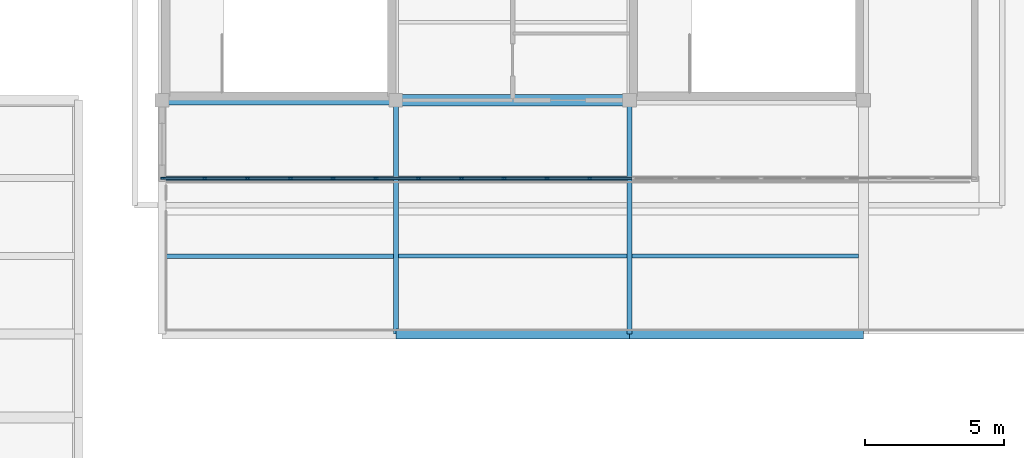
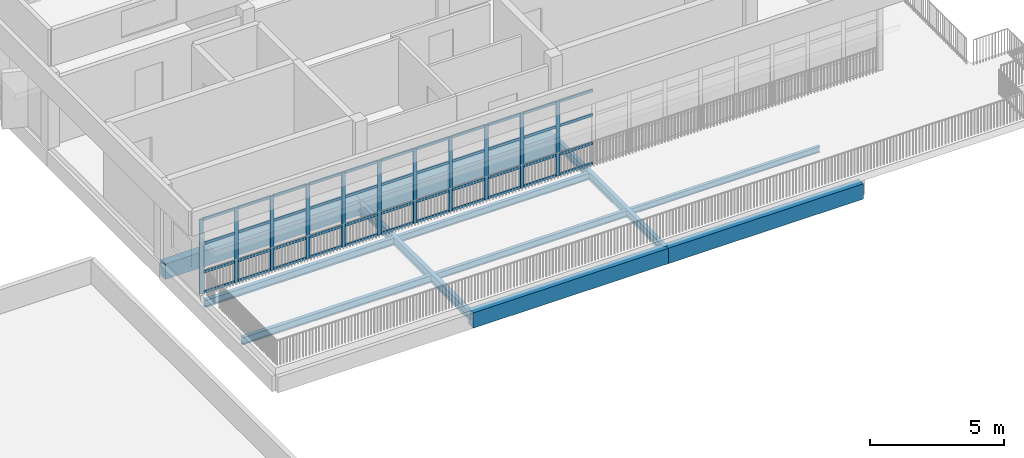
# One storey, part 2 of 14: 55 members, 11 beams, 1 element without a shape of its own.
"""IFC4 building model written with IfcOpenShell, lengths in metres."""

from ifc_helpers import new_model, si_unit, direction, frame, origin, origin_2d, place, context, subcontext, project, spatial, rectangle, i_section, extrude, material, material_profile, profile_set, type_object, element, aggregate, save


model = new_model("IFC4")

# Units and contexts
model_context = context("Model", 3, precision=1e-05, world=origin(), true_north=direction((0.0, 1.0)))
body_context = subcontext(model_context, "Body", "Model", "MODEL_VIEW")
ifc_project = project(units=[si_unit("LENGTHUNIT", "METRE"), si_unit("AREAUNIT", "SQUARE_METRE"), si_unit("VOLUMEUNIT", "CUBIC_METRE"), si_unit("PLANEANGLEUNIT", "RADIAN"), si_unit("MASSUNIT", "GRAM", prefix="KILO")], contexts=[model_context])

# Site, building, storey
site_placement = place(None, origin())
site = spatial("IfcSite", under=ifc_project, at=site_placement, CompositionType="ELEMENT")
building_placement = place(site_placement, origin())
building = spatial("IfcBuilding", under=site, at=building_placement, Name="Vanh Quang Courtyard School", CompositionType="ELEMENT")
storey_placement = place(building_placement, frame((0.0, 0.0, 22.199951171875)))
storey = spatial("IfcBuildingStorey", under=building, at=storey_placement, Name="L06", CompositionType="ELEMENT", Elevation=22.199951171875)

# Beams
ifc_material_1 = material(Name="Concrete C35/45", Category="concrete")
ifc_material_profile_1 = material_profile(ifc_material_1, rectangle(XDim=0.35009765625, YDim=0.699951171875, at=origin_2d()), Name="RC-BM 350x700")
ifc_profile_set_1 = profile_set([ifc_material_profile_1], Name="Concrete C35/45")
beam_type_1 = type_object("IfcBeamType", Name="BM-RC-350x700", PredefinedType="BEAM", material=ifc_profile_set_1)
beam_1_placement = place(storey_placement, frame((85.800048828125, 71.39990234375, -0.669921875), z_axis=(1.0, 0.0, 0.0), x_axis=(0.0, 1.0, 0.0)))
element("IfcBeam", 1, at=beam_1_placement, inside=storey, type_object=beam_type_1, Name="Beam B-04 (L06)", PredefinedType="BEAM", context=body_context, shape_type="SweptSolid", body=[
    extrude(rectangle(XDim=0.35009765625, YDim=0.699951171875, at=origin_2d()), origin(), (0.0, 0.0, 1.0), 8.39990234375),
])
for number, where, z_axis, x_axis, name in (
    (2, (94.199951171875, 71.39990234375, -0.669921875), (1.0, 0.0, 0.0), (0.0, 1.0, 0.0), "Beam B-04 (L06)"),
    (3, (77.39990234375, 79.800048828125, -0.599853515625), (1.0, 0.0, 0.0), (0.0, 1.0, 0.0), "Beam B-04 (L06)"),
):
    element("IfcBeam", number, at=place(storey_placement, frame(where, z_axis=z_axis, x_axis=x_axis)), inside=storey, type_object=beam_type_1, Name=name, PredefinedType="BEAM", context=body_context, shape_type="SweptSolid", body=[
        extrude(rectangle(XDim=0.35009765625, YDim=0.699951171875, at=origin_2d()), origin(), (0.0, 0.0, 1.0), 8.400146484375),
    ])
ifc_material_profile_2 = material_profile(ifc_material_1, rectangle(XDim=0.39990234375, YDim=0.800048828125, at=origin_2d()), Name="RC-BM 400x800")
ifc_profile_set_2 = profile_set([ifc_material_profile_2], Name="Concrete C35/45")
beam_type_2 = type_object("IfcBeamType", Name="BM-RC-400x800", PredefinedType="BEAM", material=ifc_profile_set_2)
beam_2_placement = place(storey_placement, frame((85.800048828125, 79.800048828125, -0.64990234375), z_axis=(1.0, 0.0, 0.0), x_axis=(0.0, 1.0, 0.0)))
element("IfcBeam", 4, at=beam_2_placement, inside=storey, type_object=beam_type_2, Name="Beam B-02 (L06)", PredefinedType="BEAM", context=body_context, shape_type="SweptSolid", body=[
    extrude(rectangle(XDim=0.39990234375, YDim=0.800048828125, at=origin_2d()), origin(), (0.0, 0.0, 1.0), 8.39990234375),
])
ifc_material_2 = material(Name="Structural steel EN 10025-2 S355J2", Category="steel")
ifc_material_profile_3 = material_profile(ifc_material_2, i_section(OverallWidth=0.169921875, OverallDepth=0.360107421875, WebThickness=0.008056640625, FlangeThickness=0.0126953125, FilletRadius=0.01806640625, at=origin_2d()), Name="IPE 360")
ifc_profile_set_3 = profile_set([ifc_material_profile_3], Name="Structural steel EN 10025-2 S355J2")
beam_type_3 = type_object("IfcBeamType", Name="BM-STL-IPE360", PredefinedType="BEAM", material=ifc_profile_set_3)
beam_3_placement = place(storey_placement, frame((94.199951171875, 71.39990234375, -0.5), z_axis=(0.0, 1.0, 0.0), x_axis=(-1.0, 0.0, 0.0)))
element("IfcBeam", 5, at=beam_3_placement, inside=storey, type_object=beam_type_3, Name="Beam SB-06 (L06)", PredefinedType="BEAM", context=body_context, shape_type="SweptSolid", body=[
    extrude(i_section(OverallWidth=0.169921875, OverallDepth=0.360107421875, WebThickness=0.008056640625, FlangeThickness=0.0126953125, FilletRadius=0.01806640625, at=origin_2d()), origin(), (0.0, 0.0, 1.0), 8.400146484375),
])
ifc_material_profile_4 = material_profile(ifc_material_2, i_section(OverallWidth=0.179931640625, OverallDepth=0.39990234375, WebThickness=0.008544921875, FlangeThickness=0.013427734375, FilletRadius=0.02099609375, at=origin_2d()), Name="IPE 400")
ifc_profile_set_4 = profile_set([ifc_material_profile_4], Name="Structural steel EN 10025-2 S355J2")
beam_type_4 = type_object("IfcBeamType", Name="BM-STL-IPE400", PredefinedType="BEAM", material=ifc_profile_set_4)
beam_4_placement = place(storey_placement, frame((85.800048828125, 71.39990234375, -0.52001953125), z_axis=(0.0, 1.0, 0.0), x_axis=(-1.0, 0.0, 0.0)))
element("IfcBeam", 6, at=beam_4_placement, inside=storey, type_object=beam_type_4, Name="Beam SB-05 (L06)", PredefinedType="BEAM", context=body_context, shape_type="SweptSolid", body=[
    extrude(i_section(OverallWidth=0.179931640625, OverallDepth=0.39990234375, WebThickness=0.008544921875, FlangeThickness=0.013427734375, FilletRadius=0.02099609375, at=origin_2d()), origin(), (0.0, 0.0, 1.0), 8.400146484375),
])

# Curtain wall, members
ifc_material_3 = material(Name="Thermally broken aluminium unitised curtain wall", Category="aluminium")
curtain_wall_type = type_object("IfcCurtainWallType", Name="CW-SYS-69", PredefinedType="NOTDEFINED", material=ifc_material_3)
curtain_wall_placement = place(storey_placement, origin())
curtain_wall = element("IfcCurtainWall", 7, at=curtain_wall_placement, inside=storey, type_object=curtain_wall_type, Name="Curtain Wall CW-69 (L06)", PredefinedType="NOTDEFINED")
ifc_material_4 = material(Name="Anodised aluminium 6063-T6", Category="aluminium")
ifc_material_profile_5 = material_profile(ifc_material_4, rectangle(XDim=0.06005859375, YDim=0.159912109375, at=origin_2d()), Name="ALU-MUL 60x160")
ifc_profile_set_5 = profile_set([ifc_material_profile_5], Name="Anodised aluminium 6063-T6")
member_type_1 = type_object("IfcMemberType", Name="CW-MUL-60x160", PredefinedType="MULLION", material=ifc_profile_set_5)
member_1_placement = place(storey_placement, frame((92.768310546875, 77.0, 0.0), z_axis=(0.0, 0.0, 1.0), x_axis=(0.0, -1.0, 0.0)))
member_1 = element("IfcMember", 8, at=member_1_placement, type_object=member_type_1, Name="CW-69 mullion 10", PredefinedType="MULLION", context=body_context, shape_type="SweptSolid", body=[
    extrude(rectangle(XDim=0.06005859375, YDim=0.159912109375, at=origin_2d()), origin(), (0.0, 0.0, 1.0), 3.380126953125),
])
member_2_placement = place(storey_placement, frame((91.231689453125, 77.0, 0.0), z_axis=(0.0, 0.0, 1.0), x_axis=(0.0, -1.0, 0.0)))
member_2 = element("IfcMember", 9, at=member_2_placement, type_object=member_type_1, Name="CW-69 mullion 11", PredefinedType="MULLION", context=body_context, shape_type="SweptSolid", body=[
    extrude(rectangle(XDim=0.06005859375, YDim=0.159912109375, at=origin_2d()), origin(), (0.0, 0.0, 1.0), 3.380126953125),
])
member_3_placement = place(storey_placement, frame((89.69482421875, 77.0, 0.0), z_axis=(0.0, 0.0, 1.0), x_axis=(0.0, -1.0, 0.0)))
member_3 = element("IfcMember", 10, at=member_3_placement, type_object=member_type_1, Name="CW-69 mullion 12", PredefinedType="MULLION", context=body_context, shape_type="SweptSolid", body=[
    extrude(rectangle(XDim=0.06005859375, YDim=0.159912109375, at=origin_2d()), origin(), (0.0, 0.0, 1.0), 3.380126953125),
])
member_4_placement = place(storey_placement, frame((88.157958984375, 77.0, 0.0), z_axis=(0.0, 0.0, 1.0), x_axis=(0.0, -1.0, 0.0)))
member_4 = element("IfcMember", 11, at=member_4_placement, type_object=member_type_1, Name="CW-69 mullion 13", PredefinedType="MULLION", context=body_context, shape_type="SweptSolid", body=[
    extrude(rectangle(XDim=0.06005859375, YDim=0.159912109375, at=origin_2d()), origin(), (0.0, 0.0, 1.0), 3.380126953125),
])
member_5_placement = place(storey_placement, frame((86.62109375, 77.0, 0.0), z_axis=(0.0, 0.0, 1.0), x_axis=(0.0, -1.0, 0.0)))
member_5 = element("IfcMember", 12, at=member_5_placement, type_object=member_type_1, Name="CW-69 mullion 14", PredefinedType="MULLION", context=body_context, shape_type="SweptSolid", body=[
    extrude(rectangle(XDim=0.06005859375, YDim=0.159912109375, at=origin_2d()), origin(), (0.0, 0.0, 1.0), 3.380126953125),
])
member_6_placement = place(storey_placement, frame((85.084228515625, 77.0, 0.0), z_axis=(0.0, 0.0, 1.0), x_axis=(0.0, -1.0, 0.0)))
member_6 = element("IfcMember", 13, at=member_6_placement, type_object=member_type_1, Name="CW-69 mullion 15", PredefinedType="MULLION", context=body_context, shape_type="SweptSolid", body=[
    extrude(rectangle(XDim=0.06005859375, YDim=0.159912109375, at=origin_2d()), origin(), (0.0, 0.0, 1.0), 3.380126953125),
])
member_7_placement = place(storey_placement, frame((83.54736328125, 77.0, 0.0), z_axis=(0.0, 0.0, 1.0), x_axis=(0.0, -1.0, 0.0)))
member_7 = element("IfcMember", 14, at=member_7_placement, type_object=member_type_1, Name="CW-69 mullion 16", PredefinedType="MULLION", context=body_context, shape_type="SweptSolid", body=[
    extrude(rectangle(XDim=0.06005859375, YDim=0.159912109375, at=origin_2d()), origin(), (0.0, 0.0, 1.0), 3.380126953125),
])
member_8_placement = place(storey_placement, frame((82.010498046875, 77.0, 0.0), z_axis=(0.0, 0.0, 1.0), x_axis=(0.0, -1.0, 0.0)))
member_8 = element("IfcMember", 15, at=member_8_placement, type_object=member_type_1, Name="CW-69 mullion 17", PredefinedType="MULLION", context=body_context, shape_type="SweptSolid", body=[
    extrude(rectangle(XDim=0.06005859375, YDim=0.159912109375, at=origin_2d()), origin(), (0.0, 0.0, 1.0), 3.380126953125),
])
member_9_placement = place(storey_placement, frame((80.4736328125, 77.0, 0.0), z_axis=(0.0, 0.0, 1.0), x_axis=(0.0, -1.0, 0.0)))
member_9 = element("IfcMember", 16, at=member_9_placement, type_object=member_type_1, Name="CW-69 mullion 18", PredefinedType="MULLION", context=body_context, shape_type="SweptSolid", body=[
    extrude(rectangle(XDim=0.06005859375, YDim=0.159912109375, at=origin_2d()), origin(), (0.0, 0.0, 1.0), 3.380126953125),
])
member_10_placement = place(storey_placement, frame((78.936767578125, 77.0, 0.0), z_axis=(0.0, 0.0, 1.0), x_axis=(0.0, -1.0, 0.0)))
member_10 = element("IfcMember", 17, at=member_10_placement, type_object=member_type_1, Name="CW-69 mullion 19", PredefinedType="MULLION", context=body_context, shape_type="SweptSolid", body=[
    extrude(rectangle(XDim=0.06005859375, YDim=0.159912109375, at=origin_2d()), origin(), (0.0, 0.0, 1.0), 3.380126953125),
])
member_11_placement = place(storey_placement, frame((77.429931640625, 77.0, 0.0), z_axis=(0.0, 0.0, 1.0), x_axis=(0.0, -1.0, 0.0)))
member_11 = element("IfcMember", 18, at=member_11_placement, type_object=member_type_1, Name="CW-69 mullion 20", PredefinedType="MULLION", context=body_context, shape_type="SweptSolid", body=[
    extrude(rectangle(XDim=0.06005859375, YDim=0.159912109375, at=origin_2d()), origin(), (0.0, 0.0, 1.0), 3.380126953125),
])
ifc_material_profile_6 = material_profile(ifc_material_4, rectangle(XDim=0.06005859375, YDim=0.1201171875, at=origin_2d()), Name="ALU-TRN 60x120")
ifc_profile_set_6 = profile_set([ifc_material_profile_6], Name="Anodised aluminium 6063-T6")
member_type_2 = type_object("IfcMemberType", Name="CW-TRN-60x120", PredefinedType="USERDEFINED", material=ifc_profile_set_6)
member_12_placement = place(storey_placement, frame((94.275146484375, 77.0, 0.030029296875), z_axis=(-1.0, 0.0, 0.0), x_axis=(0.0, -1.0, 0.0)))
member_12 = element("IfcMember", 19, at=member_12_placement, type_object=member_type_2, Name="CW-69 transom 9.1", ObjectType="TRANSOM", PredefinedType="USERDEFINED", context=body_context, shape_type="SweptSolid", body=[
    extrude(rectangle(XDim=0.06005859375, YDim=0.1201171875, at=origin_2d()), origin(), (0.0, 0.0, 1.0), 1.476806640625),
])
member_13_placement = place(storey_placement, frame((94.275146484375, 77.0, 0.949951171875), z_axis=(-1.0, 0.0, 0.0), x_axis=(0.0, -1.0, 0.0)))
member_13 = element("IfcMember", 20, at=member_13_placement, type_object=member_type_2, Name="CW-69 transom 9.2", ObjectType="TRANSOM", PredefinedType="USERDEFINED", context=body_context, shape_type="SweptSolid", body=[
    extrude(rectangle(XDim=0.06005859375, YDim=0.1201171875, at=origin_2d()), origin(), (0.0, 0.0, 1.0), 1.476806640625),
])
member_14_placement = place(storey_placement, frame((94.275146484375, 77.0, 2.25), z_axis=(-1.0, 0.0, 0.0), x_axis=(0.0, -1.0, 0.0)))
member_14 = element("IfcMember", 21, at=member_14_placement, type_object=member_type_2, Name="CW-69 transom 9.3", ObjectType="TRANSOM", PredefinedType="USERDEFINED", context=body_context, shape_type="SweptSolid", body=[
    extrude(rectangle(XDim=0.06005859375, YDim=0.1201171875, at=origin_2d()), origin(), (0.0, 0.0, 1.0), 1.476806640625),
])
member_15_placement = place(storey_placement, frame((94.275146484375, 77.0, 3.35009765625), z_axis=(-1.0, 0.0, 0.0), x_axis=(0.0, -1.0, 0.0)))
member_15 = element("IfcMember", 22, at=member_15_placement, type_object=member_type_2, Name="CW-69 transom 9.4", ObjectType="TRANSOM", PredefinedType="USERDEFINED", context=body_context, shape_type="SweptSolid", body=[
    extrude(rectangle(XDim=0.06005859375, YDim=0.1201171875, at=origin_2d()), origin(), (0.0, 0.0, 1.0), 1.476806640625),
])
member_16_placement = place(storey_placement, frame((92.738525390625, 77.0, 0.030029296875), z_axis=(-1.0, 0.0, 0.0), x_axis=(0.0, -1.0, 0.0)))
member_16 = element("IfcMember", 23, at=member_16_placement, type_object=member_type_2, Name="CW-69 transom 10.1", ObjectType="TRANSOM", PredefinedType="USERDEFINED", context=body_context, shape_type="SweptSolid", body=[
    extrude(rectangle(XDim=0.06005859375, YDim=0.1201171875, at=origin_2d()), origin(), (0.0, 0.0, 1.0), 1.47705078125),
])
member_17_placement = place(storey_placement, frame((92.738525390625, 77.0, 0.949951171875), z_axis=(-1.0, 0.0, 0.0), x_axis=(0.0, -1.0, 0.0)))
member_17 = element("IfcMember", 24, at=member_17_placement, type_object=member_type_2, Name="CW-69 transom 10.2", ObjectType="TRANSOM", PredefinedType="USERDEFINED", context=body_context, shape_type="SweptSolid", body=[
    extrude(rectangle(XDim=0.06005859375, YDim=0.1201171875, at=origin_2d()), origin(), (0.0, 0.0, 1.0), 1.47705078125),
])
member_18_placement = place(storey_placement, frame((92.738525390625, 77.0, 2.25), z_axis=(-1.0, 0.0, 0.0), x_axis=(0.0, -1.0, 0.0)))
member_18 = element("IfcMember", 25, at=member_18_placement, type_object=member_type_2, Name="CW-69 transom 10.3", ObjectType="TRANSOM", PredefinedType="USERDEFINED", context=body_context, shape_type="SweptSolid", body=[
    extrude(rectangle(XDim=0.06005859375, YDim=0.1201171875, at=origin_2d()), origin(), (0.0, 0.0, 1.0), 1.47705078125),
])
member_19_placement = place(storey_placement, frame((92.738525390625, 77.0, 3.35009765625), z_axis=(-1.0, 0.0, 0.0), x_axis=(0.0, -1.0, 0.0)))
member_19 = element("IfcMember", 26, at=member_19_placement, type_object=member_type_2, Name="CW-69 transom 10.4", ObjectType="TRANSOM", PredefinedType="USERDEFINED", context=body_context, shape_type="SweptSolid", body=[
    extrude(rectangle(XDim=0.06005859375, YDim=0.1201171875, at=origin_2d()), origin(), (0.0, 0.0, 1.0), 1.47705078125),
])
member_20_placement = place(storey_placement, frame((91.20166015625, 77.0, 0.030029296875), z_axis=(-1.0, 0.0, 0.0), x_axis=(0.0, -1.0, 0.0)))
member_20 = element("IfcMember", 27, at=member_20_placement, type_object=member_type_2, Name="CW-69 transom 11.1", ObjectType="TRANSOM", PredefinedType="USERDEFINED", context=body_context, shape_type="SweptSolid", body=[
    extrude(rectangle(XDim=0.06005859375, YDim=0.1201171875, at=origin_2d()), origin(), (0.0, 0.0, 1.0), 1.476806640625),
])
member_21_placement = place(storey_placement, frame((91.20166015625, 77.0, 0.949951171875), z_axis=(-1.0, 0.0, 0.0), x_axis=(0.0, -1.0, 0.0)))
member_21 = element("IfcMember", 28, at=member_21_placement, type_object=member_type_2, Name="CW-69 transom 11.2", ObjectType="TRANSOM", PredefinedType="USERDEFINED", context=body_context, shape_type="SweptSolid", body=[
    extrude(rectangle(XDim=0.06005859375, YDim=0.1201171875, at=origin_2d()), origin(), (0.0, 0.0, 1.0), 1.476806640625),
])
member_22_placement = place(storey_placement, frame((91.20166015625, 77.0, 2.25), z_axis=(-1.0, 0.0, 0.0), x_axis=(0.0, -1.0, 0.0)))
member_22 = element("IfcMember", 29, at=member_22_placement, type_object=member_type_2, Name="CW-69 transom 11.3", ObjectType="TRANSOM", PredefinedType="USERDEFINED", context=body_context, shape_type="SweptSolid", body=[
    extrude(rectangle(XDim=0.06005859375, YDim=0.1201171875, at=origin_2d()), origin(), (0.0, 0.0, 1.0), 1.476806640625),
])
member_23_placement = place(storey_placement, frame((91.20166015625, 77.0, 3.35009765625), z_axis=(-1.0, 0.0, 0.0), x_axis=(0.0, -1.0, 0.0)))
member_23 = element("IfcMember", 30, at=member_23_placement, type_object=member_type_2, Name="CW-69 transom 11.4", ObjectType="TRANSOM", PredefinedType="USERDEFINED", context=body_context, shape_type="SweptSolid", body=[
    extrude(rectangle(XDim=0.06005859375, YDim=0.1201171875, at=origin_2d()), origin(), (0.0, 0.0, 1.0), 1.476806640625),
])
member_24_placement = place(storey_placement, frame((89.664794921875, 77.0, 0.030029296875), z_axis=(-1.0, 0.0, 0.0), x_axis=(0.0, -1.0, 0.0)))
member_24 = element("IfcMember", 31, at=member_24_placement, type_object=member_type_2, Name="CW-69 transom 12.1", ObjectType="TRANSOM", PredefinedType="USERDEFINED", context=body_context, shape_type="SweptSolid", body=[
    extrude(rectangle(XDim=0.06005859375, YDim=0.1201171875, at=origin_2d()), origin(), (0.0, 0.0, 1.0), 1.476806640625),
])
member_25_placement = place(storey_placement, frame((89.664794921875, 77.0, 0.949951171875), z_axis=(-1.0, 0.0, 0.0), x_axis=(0.0, -1.0, 0.0)))
member_25 = element("IfcMember", 32, at=member_25_placement, type_object=member_type_2, Name="CW-69 transom 12.2", ObjectType="TRANSOM", PredefinedType="USERDEFINED", context=body_context, shape_type="SweptSolid", body=[
    extrude(rectangle(XDim=0.06005859375, YDim=0.1201171875, at=origin_2d()), origin(), (0.0, 0.0, 1.0), 1.476806640625),
])
member_26_placement = place(storey_placement, frame((89.664794921875, 77.0, 2.25), z_axis=(-1.0, 0.0, 0.0), x_axis=(0.0, -1.0, 0.0)))
member_26 = element("IfcMember", 33, at=member_26_placement, type_object=member_type_2, Name="CW-69 transom 12.3", ObjectType="TRANSOM", PredefinedType="USERDEFINED", context=body_context, shape_type="SweptSolid", body=[
    extrude(rectangle(XDim=0.06005859375, YDim=0.1201171875, at=origin_2d()), origin(), (0.0, 0.0, 1.0), 1.476806640625),
])
member_27_placement = place(storey_placement, frame((89.664794921875, 77.0, 3.35009765625), z_axis=(-1.0, 0.0, 0.0), x_axis=(0.0, -1.0, 0.0)))
member_27 = element("IfcMember", 34, at=member_27_placement, type_object=member_type_2, Name="CW-69 transom 12.4", ObjectType="TRANSOM", PredefinedType="USERDEFINED", context=body_context, shape_type="SweptSolid", body=[
    extrude(rectangle(XDim=0.06005859375, YDim=0.1201171875, at=origin_2d()), origin(), (0.0, 0.0, 1.0), 1.476806640625),
])
member_28_placement = place(storey_placement, frame((88.1279296875, 77.0, 0.030029296875), z_axis=(-1.0, 0.0, 0.0), x_axis=(0.0, -1.0, 0.0)))
member_28 = element("IfcMember", 35, at=member_28_placement, type_object=member_type_2, Name="CW-69 transom 13.1", ObjectType="TRANSOM", PredefinedType="USERDEFINED", context=body_context, shape_type="SweptSolid", body=[
    extrude(rectangle(XDim=0.06005859375, YDim=0.1201171875, at=origin_2d()), origin(), (0.0, 0.0, 1.0), 1.476806640625),
])
member_29_placement = place(storey_placement, frame((88.1279296875, 77.0, 0.949951171875), z_axis=(-1.0, 0.0, 0.0), x_axis=(0.0, -1.0, 0.0)))
member_29 = element("IfcMember", 36, at=member_29_placement, type_object=member_type_2, Name="CW-69 transom 13.2", ObjectType="TRANSOM", PredefinedType="USERDEFINED", context=body_context, shape_type="SweptSolid", body=[
    extrude(rectangle(XDim=0.06005859375, YDim=0.1201171875, at=origin_2d()), origin(), (0.0, 0.0, 1.0), 1.476806640625),
])
member_30_placement = place(storey_placement, frame((88.1279296875, 77.0, 2.25), z_axis=(-1.0, 0.0, 0.0), x_axis=(0.0, -1.0, 0.0)))
member_30 = element("IfcMember", 37, at=member_30_placement, type_object=member_type_2, Name="CW-69 transom 13.3", ObjectType="TRANSOM", PredefinedType="USERDEFINED", context=body_context, shape_type="SweptSolid", body=[
    extrude(rectangle(XDim=0.06005859375, YDim=0.1201171875, at=origin_2d()), origin(), (0.0, 0.0, 1.0), 1.476806640625),
])
member_31_placement = place(storey_placement, frame((88.1279296875, 77.0, 3.35009765625), z_axis=(-1.0, 0.0, 0.0), x_axis=(0.0, -1.0, 0.0)))
member_31 = element("IfcMember", 38, at=member_31_placement, type_object=member_type_2, Name="CW-69 transom 13.4", ObjectType="TRANSOM", PredefinedType="USERDEFINED", context=body_context, shape_type="SweptSolid", body=[
    extrude(rectangle(XDim=0.06005859375, YDim=0.1201171875, at=origin_2d()), origin(), (0.0, 0.0, 1.0), 1.476806640625),
])
member_32_placement = place(storey_placement, frame((86.591064453125, 77.0, 0.030029296875), z_axis=(-1.0, 0.0, 0.0), x_axis=(0.0, -1.0, 0.0)))
member_32 = element("IfcMember", 39, at=member_32_placement, type_object=member_type_2, Name="CW-69 transom 14.1", ObjectType="TRANSOM", PredefinedType="USERDEFINED", context=body_context, shape_type="SweptSolid", body=[
    extrude(rectangle(XDim=0.06005859375, YDim=0.1201171875, at=origin_2d()), origin(), (0.0, 0.0, 1.0), 1.476806640625),
])
member_33_placement = place(storey_placement, frame((86.591064453125, 77.0, 0.949951171875), z_axis=(-1.0, 0.0, 0.0), x_axis=(0.0, -1.0, 0.0)))
member_33 = element("IfcMember", 40, at=member_33_placement, type_object=member_type_2, Name="CW-69 transom 14.2", ObjectType="TRANSOM", PredefinedType="USERDEFINED", context=body_context, shape_type="SweptSolid", body=[
    extrude(rectangle(XDim=0.06005859375, YDim=0.1201171875, at=origin_2d()), origin(), (0.0, 0.0, 1.0), 1.476806640625),
])
member_34_placement = place(storey_placement, frame((86.591064453125, 77.0, 2.25), z_axis=(-1.0, 0.0, 0.0), x_axis=(0.0, -1.0, 0.0)))
member_34 = element("IfcMember", 41, at=member_34_placement, type_object=member_type_2, Name="CW-69 transom 14.3", ObjectType="TRANSOM", PredefinedType="USERDEFINED", context=body_context, shape_type="SweptSolid", body=[
    extrude(rectangle(XDim=0.06005859375, YDim=0.1201171875, at=origin_2d()), origin(), (0.0, 0.0, 1.0), 1.476806640625),
])
member_35_placement = place(storey_placement, frame((86.591064453125, 77.0, 3.35009765625), z_axis=(-1.0, 0.0, 0.0), x_axis=(0.0, -1.0, 0.0)))
member_35 = element("IfcMember", 42, at=member_35_placement, type_object=member_type_2, Name="CW-69 transom 14.4", ObjectType="TRANSOM", PredefinedType="USERDEFINED", context=body_context, shape_type="SweptSolid", body=[
    extrude(rectangle(XDim=0.06005859375, YDim=0.1201171875, at=origin_2d()), origin(), (0.0, 0.0, 1.0), 1.476806640625),
])
member_36_placement = place(storey_placement, frame((85.05419921875, 77.0, 0.030029296875), z_axis=(-1.0, 0.0, 0.0), x_axis=(0.0, -1.0, 0.0)))
member_36 = element("IfcMember", 43, at=member_36_placement, type_object=member_type_2, Name="CW-69 transom 15.1", ObjectType="TRANSOM", PredefinedType="USERDEFINED", context=body_context, shape_type="SweptSolid", body=[
    extrude(rectangle(XDim=0.06005859375, YDim=0.1201171875, at=origin_2d()), origin(), (0.0, 0.0, 1.0), 1.476806640625),
])
member_37_placement = place(storey_placement, frame((85.05419921875, 77.0, 0.949951171875), z_axis=(-1.0, 0.0, 0.0), x_axis=(0.0, -1.0, 0.0)))
member_37 = element("IfcMember", 44, at=member_37_placement, type_object=member_type_2, Name="CW-69 transom 15.2", ObjectType="TRANSOM", PredefinedType="USERDEFINED", context=body_context, shape_type="SweptSolid", body=[
    extrude(rectangle(XDim=0.06005859375, YDim=0.1201171875, at=origin_2d()), origin(), (0.0, 0.0, 1.0), 1.476806640625),
])
member_38_placement = place(storey_placement, frame((85.05419921875, 77.0, 2.25), z_axis=(-1.0, 0.0, 0.0), x_axis=(0.0, -1.0, 0.0)))
member_38 = element("IfcMember", 45, at=member_38_placement, type_object=member_type_2, Name="CW-69 transom 15.3", ObjectType="TRANSOM", PredefinedType="USERDEFINED", context=body_context, shape_type="SweptSolid", body=[
    extrude(rectangle(XDim=0.06005859375, YDim=0.1201171875, at=origin_2d()), origin(), (0.0, 0.0, 1.0), 1.476806640625),
])
member_39_placement = place(storey_placement, frame((85.05419921875, 77.0, 3.35009765625), z_axis=(-1.0, 0.0, 0.0), x_axis=(0.0, -1.0, 0.0)))
member_39 = element("IfcMember", 46, at=member_39_placement, type_object=member_type_2, Name="CW-69 transom 15.4", ObjectType="TRANSOM", PredefinedType="USERDEFINED", context=body_context, shape_type="SweptSolid", body=[
    extrude(rectangle(XDim=0.06005859375, YDim=0.1201171875, at=origin_2d()), origin(), (0.0, 0.0, 1.0), 1.476806640625),
])
member_40_placement = place(storey_placement, frame((83.517333984375, 77.0, 0.030029296875), z_axis=(-1.0, 0.0, 0.0), x_axis=(0.0, -1.0, 0.0)))
member_40 = element("IfcMember", 47, at=member_40_placement, type_object=member_type_2, Name="CW-69 transom 16.1", ObjectType="TRANSOM", PredefinedType="USERDEFINED", context=body_context, shape_type="SweptSolid", body=[
    extrude(rectangle(XDim=0.06005859375, YDim=0.1201171875, at=origin_2d()), origin(), (0.0, 0.0, 1.0), 1.476806640625),
])
member_41_placement = place(storey_placement, frame((83.517333984375, 77.0, 0.949951171875), z_axis=(-1.0, 0.0, 0.0), x_axis=(0.0, -1.0, 0.0)))
member_41 = element("IfcMember", 48, at=member_41_placement, type_object=member_type_2, Name="CW-69 transom 16.2", ObjectType="TRANSOM", PredefinedType="USERDEFINED", context=body_context, shape_type="SweptSolid", body=[
    extrude(rectangle(XDim=0.06005859375, YDim=0.1201171875, at=origin_2d()), origin(), (0.0, 0.0, 1.0), 1.476806640625),
])
member_42_placement = place(storey_placement, frame((83.517333984375, 77.0, 2.25), z_axis=(-1.0, 0.0, 0.0), x_axis=(0.0, -1.0, 0.0)))
member_42 = element("IfcMember", 49, at=member_42_placement, type_object=member_type_2, Name="CW-69 transom 16.3", ObjectType="TRANSOM", PredefinedType="USERDEFINED", context=body_context, shape_type="SweptSolid", body=[
    extrude(rectangle(XDim=0.06005859375, YDim=0.1201171875, at=origin_2d()), origin(), (0.0, 0.0, 1.0), 1.476806640625),
])
member_43_placement = place(storey_placement, frame((83.517333984375, 77.0, 3.35009765625), z_axis=(-1.0, 0.0, 0.0), x_axis=(0.0, -1.0, 0.0)))
member_43 = element("IfcMember", 50, at=member_43_placement, type_object=member_type_2, Name="CW-69 transom 16.4", ObjectType="TRANSOM", PredefinedType="USERDEFINED", context=body_context, shape_type="SweptSolid", body=[
    extrude(rectangle(XDim=0.06005859375, YDim=0.1201171875, at=origin_2d()), origin(), (0.0, 0.0, 1.0), 1.476806640625),
])
member_44_placement = place(storey_placement, frame((81.98046875, 77.0, 0.030029296875), z_axis=(-1.0, 0.0, 0.0), x_axis=(0.0, -1.0, 0.0)))
member_44 = element("IfcMember", 51, at=member_44_placement, type_object=member_type_2, Name="CW-69 transom 17.1", ObjectType="TRANSOM", PredefinedType="USERDEFINED", context=body_context, shape_type="SweptSolid", body=[
    extrude(rectangle(XDim=0.06005859375, YDim=0.1201171875, at=origin_2d()), origin(), (0.0, 0.0, 1.0), 1.476806640625),
])
member_45_placement = place(storey_placement, frame((81.98046875, 77.0, 0.949951171875), z_axis=(-1.0, 0.0, 0.0), x_axis=(0.0, -1.0, 0.0)))
member_45 = element("IfcMember", 52, at=member_45_placement, type_object=member_type_2, Name="CW-69 transom 17.2", ObjectType="TRANSOM", PredefinedType="USERDEFINED", context=body_context, shape_type="SweptSolid", body=[
    extrude(rectangle(XDim=0.06005859375, YDim=0.1201171875, at=origin_2d()), origin(), (0.0, 0.0, 1.0), 1.476806640625),
])
member_46_placement = place(storey_placement, frame((81.98046875, 77.0, 2.25), z_axis=(-1.0, 0.0, 0.0), x_axis=(0.0, -1.0, 0.0)))
member_46 = element("IfcMember", 53, at=member_46_placement, type_object=member_type_2, Name="CW-69 transom 17.3", ObjectType="TRANSOM", PredefinedType="USERDEFINED", context=body_context, shape_type="SweptSolid", body=[
    extrude(rectangle(XDim=0.06005859375, YDim=0.1201171875, at=origin_2d()), origin(), (0.0, 0.0, 1.0), 1.476806640625),
])
member_47_placement = place(storey_placement, frame((81.98046875, 77.0, 3.35009765625), z_axis=(-1.0, 0.0, 0.0), x_axis=(0.0, -1.0, 0.0)))
member_47 = element("IfcMember", 54, at=member_47_placement, type_object=member_type_2, Name="CW-69 transom 17.4", ObjectType="TRANSOM", PredefinedType="USERDEFINED", context=body_context, shape_type="SweptSolid", body=[
    extrude(rectangle(XDim=0.06005859375, YDim=0.1201171875, at=origin_2d()), origin(), (0.0, 0.0, 1.0), 1.476806640625),
])
member_48_placement = place(storey_placement, frame((80.443603515625, 77.0, 0.030029296875), z_axis=(-1.0, 0.0, 0.0), x_axis=(0.0, -1.0, 0.0)))
member_48 = element("IfcMember", 55, at=member_48_placement, type_object=member_type_2, Name="CW-69 transom 18.1", ObjectType="TRANSOM", PredefinedType="USERDEFINED", context=body_context, shape_type="SweptSolid", body=[
    extrude(rectangle(XDim=0.06005859375, YDim=0.1201171875, at=origin_2d()), origin(), (0.0, 0.0, 1.0), 1.476806640625),
])
member_49_placement = place(storey_placement, frame((80.443603515625, 77.0, 0.949951171875), z_axis=(-1.0, 0.0, 0.0), x_axis=(0.0, -1.0, 0.0)))
member_49 = element("IfcMember", 56, at=member_49_placement, type_object=member_type_2, Name="CW-69 transom 18.2", ObjectType="TRANSOM", PredefinedType="USERDEFINED", context=body_context, shape_type="SweptSolid", body=[
    extrude(rectangle(XDim=0.06005859375, YDim=0.1201171875, at=origin_2d()), origin(), (0.0, 0.0, 1.0), 1.476806640625),
])
member_50_placement = place(storey_placement, frame((80.443603515625, 77.0, 2.25), z_axis=(-1.0, 0.0, 0.0), x_axis=(0.0, -1.0, 0.0)))
member_50 = element("IfcMember", 57, at=member_50_placement, type_object=member_type_2, Name="CW-69 transom 18.3", ObjectType="TRANSOM", PredefinedType="USERDEFINED", context=body_context, shape_type="SweptSolid", body=[
    extrude(rectangle(XDim=0.06005859375, YDim=0.1201171875, at=origin_2d()), origin(), (0.0, 0.0, 1.0), 1.476806640625),
])
member_51_placement = place(storey_placement, frame((80.443603515625, 77.0, 3.35009765625), z_axis=(-1.0, 0.0, 0.0), x_axis=(0.0, -1.0, 0.0)))
member_51 = element("IfcMember", 58, at=member_51_placement, type_object=member_type_2, Name="CW-69 transom 18.4", ObjectType="TRANSOM", PredefinedType="USERDEFINED", context=body_context, shape_type="SweptSolid", body=[
    extrude(rectangle(XDim=0.06005859375, YDim=0.1201171875, at=origin_2d()), origin(), (0.0, 0.0, 1.0), 1.476806640625),
])
member_52_placement = place(storey_placement, frame((78.90673828125, 77.0, 0.030029296875), z_axis=(-1.0, 0.0, 0.0), x_axis=(0.0, -1.0, 0.0)))
member_52 = element("IfcMember", 59, at=member_52_placement, type_object=member_type_2, Name="CW-69 transom 19.1", ObjectType="TRANSOM", PredefinedType="USERDEFINED", context=body_context, shape_type="SweptSolid", body=[
    extrude(rectangle(XDim=0.06005859375, YDim=0.1201171875, at=origin_2d()), origin(), (0.0, 0.0, 1.0), 1.44677734375),
])
member_53_placement = place(storey_placement, frame((78.90673828125, 77.0, 0.949951171875), z_axis=(-1.0, 0.0, 0.0), x_axis=(0.0, -1.0, 0.0)))
member_53 = element("IfcMember", 60, at=member_53_placement, type_object=member_type_2, Name="CW-69 transom 19.2", ObjectType="TRANSOM", PredefinedType="USERDEFINED", context=body_context, shape_type="SweptSolid", body=[
    extrude(rectangle(XDim=0.06005859375, YDim=0.1201171875, at=origin_2d()), origin(), (0.0, 0.0, 1.0), 1.44677734375),
])
member_54_placement = place(storey_placement, frame((78.90673828125, 77.0, 2.25), z_axis=(-1.0, 0.0, 0.0), x_axis=(0.0, -1.0, 0.0)))
member_54 = element("IfcMember", 61, at=member_54_placement, type_object=member_type_2, Name="CW-69 transom 19.3", ObjectType="TRANSOM", PredefinedType="USERDEFINED", context=body_context, shape_type="SweptSolid", body=[
    extrude(rectangle(XDim=0.06005859375, YDim=0.1201171875, at=origin_2d()), origin(), (0.0, 0.0, 1.0), 1.44677734375),
])
member_55_placement = place(storey_placement, frame((78.90673828125, 77.0, 3.35009765625), z_axis=(-1.0, 0.0, 0.0), x_axis=(0.0, -1.0, 0.0)))
member_55 = element("IfcMember", 62, at=member_55_placement, type_object=member_type_2, Name="CW-69 transom 19.4", ObjectType="TRANSOM", PredefinedType="USERDEFINED", context=body_context, shape_type="SweptSolid", body=[
    extrude(rectangle(XDim=0.06005859375, YDim=0.1201171875, at=origin_2d()), origin(), (0.0, 0.0, 1.0), 1.44677734375),
])
aggregate(curtain_wall, [member_1, member_2, member_3, member_4, member_5, member_6, member_7, member_8, member_9, member_10, member_11, member_12, member_13, member_14, member_15, member_16, member_17, member_18, member_19, member_20, member_21, member_22, member_23, member_24, member_25, member_26, member_27, member_28, member_29, member_30, member_31, member_32, member_33, member_34, member_35, member_36, member_37, member_38, member_39, member_40, member_41, member_42, member_43, member_44, member_45, member_46, member_47, member_48, member_49, member_50, member_51, member_52, member_53, member_54, member_55])

# Beams
ifc_material_profile_7 = material_profile(ifc_material_2, i_section(OverallWidth=0.135009765625, OverallDepth=0.27001953125, WebThickness=0.006591796875, FlangeThickness=0.01025390625, FilletRadius=0.014892578125, at=origin_2d()), Name="IPE 270")
ifc_profile_set_7 = profile_set([ifc_material_profile_7], Name="Structural steel EN 10025-2 S355J2")
beam_type_5 = type_object("IfcBeamType", Name="JST-STL-IPE270", PredefinedType="JOIST", material=ifc_profile_set_7)
beam_5_placement = place(storey_placement, frame((94.284912109375, 74.199951171875, -0.454833984375), z_axis=(1.0, 0.0, 0.0), x_axis=(0.0, 1.0, 0.0)))
element("IfcBeam", 63, at=beam_5_placement, inside=storey, type_object=beam_type_5, Name="Beam SJ-03 (L06)", PredefinedType="JOIST", context=body_context, shape_type="SweptSolid", body=[
    extrude(i_section(OverallWidth=0.135009765625, OverallDepth=0.27001953125, WebThickness=0.006591796875, FlangeThickness=0.01025390625, FilletRadius=0.014892578125, at=origin_2d()), origin(), (0.0, 0.0, 1.0), 8.14013671875),
])
ifc_material_profile_8 = material_profile(ifc_material_2, i_section(OverallWidth=0.14990234375, OverallDepth=0.300048828125, WebThickness=0.007080078125, FlangeThickness=0.0107421875, FilletRadius=0.014892578125, at=origin_2d()), Name="IPE 300")
ifc_profile_set_8 = profile_set([ifc_material_profile_8], Name="Structural steel EN 10025-2 S355J2")
beam_type_6 = type_object("IfcBeamType", Name="JST-STL-IPE300", PredefinedType="JOIST", material=ifc_profile_set_8)
for number, where, z_axis, x_axis, name in (
    (64, (85.889892578125, 74.199951171875, -0.469970703125), (1.0, 0.0, 0.0), (0.0, 1.0, 0.0), "Beam SJ-02 (L06)"),
    (65, (85.889892578125, 77.0, -0.469970703125), (1.0, 0.0, 0.0), (0.0, 1.0, 0.0), "Beam SJ-02 (L06)"),
):
    element("IfcBeam", number, at=place(storey_placement, frame(where, z_axis=z_axis, x_axis=x_axis)), inside=storey, type_object=beam_type_6, Name=name, PredefinedType="JOIST", context=body_context, shape_type="SweptSolid", body=[
        extrude(i_section(OverallWidth=0.14990234375, OverallDepth=0.300048828125, WebThickness=0.007080078125, FlangeThickness=0.0107421875, FilletRadius=0.014892578125, at=origin_2d()), origin(), (0.0, 0.0, 1.0), 8.22509765625),
    ])
ifc_material_profile_9 = material_profile(ifc_material_2, i_section(OverallWidth=0.159912109375, OverallDepth=0.330078125, WebThickness=0.007568359375, FlangeThickness=0.011474609375, FilletRadius=0.01806640625, at=origin_2d()), Name="IPE 330")
ifc_profile_set_9 = profile_set([ifc_material_profile_9], Name="Structural steel EN 10025-2 S355J2")
beam_type_7 = type_object("IfcBeamType", Name="JST-STL-IPE330", PredefinedType="JOIST", material=ifc_profile_set_9)
for number, where, z_axis, x_axis, name in (
    (66, (77.550048828125, 74.199951171875, -0.48486328125), (1.0, 0.0, 0.0), (0.0, 1.0, 0.0), "Beam SJ-01 (L06)"),
    (67, (77.550048828125, 77.0, -0.48486328125), (1.0, 0.0, 0.0), (0.0, 1.0, 0.0), "Beam SJ-01 (L06)"),
):
    element("IfcBeam", number, at=place(storey_placement, frame(where, z_axis=z_axis, x_axis=x_axis)), inside=storey, type_object=beam_type_7, Name=name, PredefinedType="JOIST", context=body_context, shape_type="SweptSolid", body=[
        extrude(i_section(OverallWidth=0.159912109375, OverallDepth=0.330078125, WebThickness=0.007568359375, FlangeThickness=0.011474609375, FilletRadius=0.01806640625, at=origin_2d()), origin(), (0.0, 0.0, 1.0), 8.159912109375),
    ])

save(model, "model.ifc")
